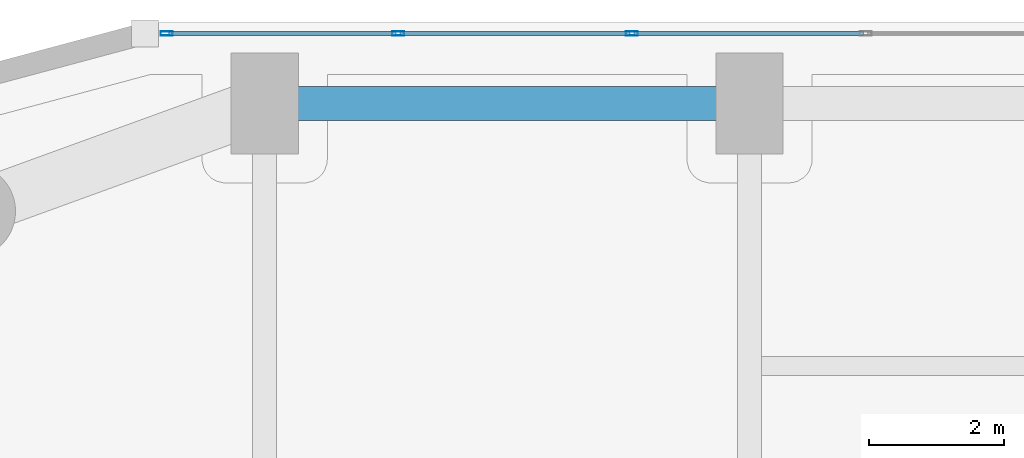
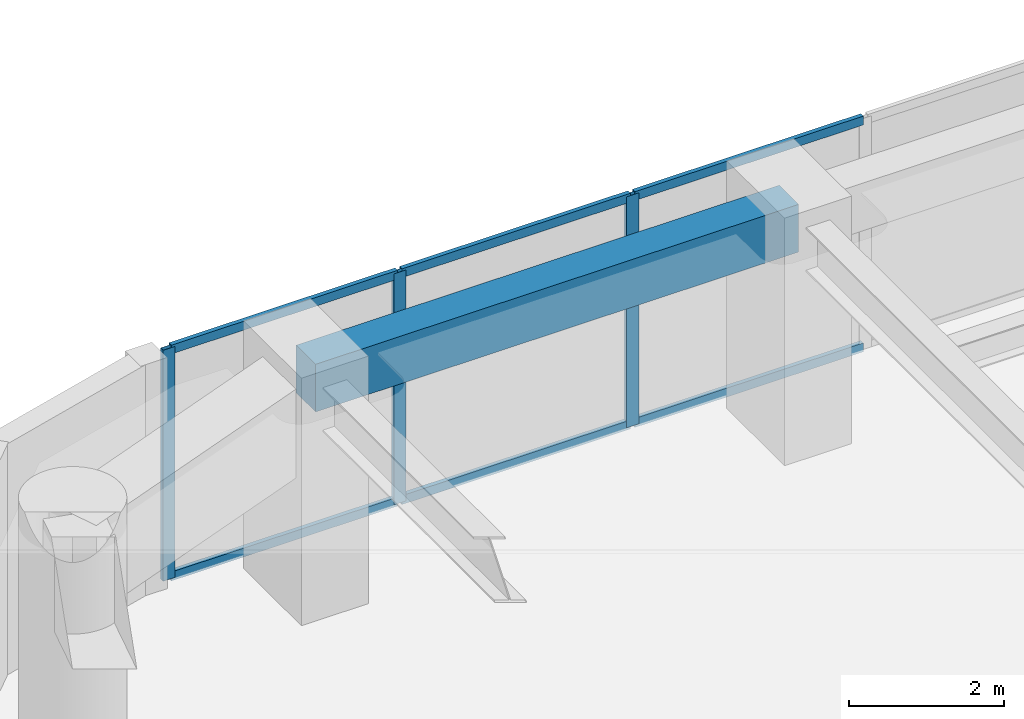
# One storey, part 16 of 28: 9 members, 1 beam, 1 element without a shape of its own.
"""IFC4 building model written with IfcOpenShell, lengths in metres."""

from ifc_helpers import new_model, si_unit, direction, frame, origin, origin_2d, place, context, subcontext, project, spatial, rectangle, hollow_rectangle, extrude, material, layer, layer_set, material_profile, profile_set, type_object, element, aggregate, save


model = new_model("IFC4")

# Units and contexts
model_context = context("Model", 3, precision=1e-05, world=origin(), true_north=direction((0.0, 1.0)))
body_context = subcontext(model_context, "Body", "Model", "MODEL_VIEW")
ifc_project = project(units=[si_unit("LENGTHUNIT", "METRE"), si_unit("AREAUNIT", "SQUARE_METRE"), si_unit("VOLUMEUNIT", "CUBIC_METRE"), si_unit("PLANEANGLEUNIT", "RADIAN"), si_unit("MASSUNIT", "GRAM", prefix="KILO")], contexts=[model_context])

# Site, building, storey
site_placement = place(None, origin())
site = spatial("IfcSite", under=ifc_project, at=site_placement, CompositionType="ELEMENT")
building_placement = place(site_placement, origin())
building = spatial("IfcBuilding", under=site, at=building_placement, Name="Kiyonajd Concourse Tower", CompositionType="ELEMENT")
storey_placement = place(building_placement, frame((0.0, 0.0, 33.300048828125)))
storey = spatial("IfcBuildingStorey", under=building, at=storey_placement, Name="L09", CompositionType="ELEMENT", Elevation=33.300048828125)

# Beam
ifc_material_1 = material(Name="Precast concrete C50/60", Category="concrete")
ifc_material_profile_1 = material_profile(ifc_material_1, rectangle(XDim=0.5, YDim=0.75, at=origin_2d()), Name="RCBM-500x750")
ifc_profile_set_1 = profile_set([ifc_material_profile_1], Name="Precast concrete C50/60")
beam_type = type_object("IfcBeamType", Name="BM-SPAN-RC", PredefinedType="SPANDREL", material=ifc_profile_set_1)
beam_placement = place(storey_placement, frame((32.39990234375, 61.199951171875, 3.264892578125), z_axis=(-1.0, 0.0, 0.0), x_axis=(0.0, -1.0, 0.0)))
element("IfcBeam", 1, at=beam_placement, inside=storey, type_object=beam_type, Name="L09 Perimeter Bundled Tube Spandrel", PredefinedType="SPANDREL", context=body_context, shape_type="SweptSolid", body=[
    extrude(rectangle(XDim=0.5, YDim=0.75, at=origin_2d()), origin(), (0.0, 0.0, 1.0), 7.199951171875),
])

# Curtain wall, members
ifc_material_2 = material(Name="Thermally Broken Anodised Aluminium", Category="aluminium")
ifc_layer = layer(ifc_material_2, 0.179931640625)
ifc_layer_set = layer_set([ifc_layer], Name="Thermally Broken Anodised Aluminium")
curtain_wall_type = type_object("IfcCurtainWallType", Name="CW-SYS-02", PredefinedType="NOTDEFINED", material=ifc_layer_set)
curtain_wall_placement = place(storey_placement, origin())
curtain_wall = element("IfcCurtainWall", 2, at=curtain_wall_placement, inside=storey, type_object=curtain_wall_type, Name="L09 Unitised Curtain Wall CW2", PredefinedType="NOTDEFINED")
ifc_material_profile_2 = material_profile(ifc_material_2, hollow_rectangle(XDim=0.06494140625, YDim=0.179931640625, WallThickness=0.00390625, at=origin_2d()), Name="MULL-65x180")
ifc_profile_set_2 = profile_set([ifc_material_profile_2], Name="Thermally Broken Anodised Aluminium")
member_type_1 = type_object("IfcMemberType", Name="MB-CW-MULL1", PredefinedType="MULLION", material=ifc_profile_set_2)
member_1_placement = place(storey_placement, frame((23.74365234375, 62.239990234375, 0.0), z_axis=(0.0, 0.0, 1.0), x_axis=(0.0, 1.0, 0.0)))
member_1 = element("IfcMember", 3, at=member_1_placement, type_object=member_type_1, Name="CW2 mullion 1", PredefinedType="MULLION", context=body_context, shape_type="SweptSolid", body=[
    extrude(hollow_rectangle(XDim=0.06494140625, YDim=0.179931640625, WallThickness=0.00390625, at=origin_2d()), origin(), (0.0, 0.0, 1.0), 3.639892578125),
])
member_2_placement = place(storey_placement, frame((27.181884765625, 62.239990234375, 0.0), z_axis=(0.0, 0.0, 1.0), x_axis=(0.0, 1.0, 0.0)))
member_2 = element("IfcMember", 4, at=member_2_placement, type_object=member_type_1, Name="CW2 mullion 2", PredefinedType="MULLION", context=body_context, shape_type="SweptSolid", body=[
    extrude(hollow_rectangle(XDim=0.06494140625, YDim=0.179931640625, WallThickness=0.00390625, at=origin_2d()), origin(), (0.0, 0.0, 1.0), 3.639892578125),
])
member_3_placement = place(storey_placement, frame((30.652587890625, 62.239990234375, 0.0), z_axis=(0.0, 0.0, 1.0), x_axis=(0.0, 1.0, 0.0)))
member_3 = element("IfcMember", 5, at=member_3_placement, type_object=member_type_1, Name="CW2 mullion 3", PredefinedType="MULLION", context=body_context, shape_type="SweptSolid", body=[
    extrude(hollow_rectangle(XDim=0.06494140625, YDim=0.179931640625, WallThickness=0.00390625, at=origin_2d()), origin(), (0.0, 0.0, 1.0), 3.639892578125),
])
ifc_material_profile_3 = material_profile(ifc_material_2, hollow_rectangle(XDim=0.06494140625, YDim=0.139892578125, WallThickness=0.00390625, at=origin_2d()), Name="TRAN-65x140")
ifc_profile_set_3 = profile_set([ifc_material_profile_3], Name="Thermally Broken Anodised Aluminium")
member_type_2 = type_object("IfcMemberType", Name="MB-CW-TRAN1", PredefinedType="USERDEFINED", material=ifc_profile_set_3)
member_4_placement = place(storey_placement, frame((23.776123046875, 62.239990234375, 0.032470703125), z_axis=(1.0, 0.0, 0.0), x_axis=(0.0, 1.0, 0.0)))
member_4 = element("IfcMember", 6, at=member_4_placement, type_object=member_type_2, Name="CW2 transom 1.1", ObjectType="TRANSOM", PredefinedType="USERDEFINED", context=body_context, shape_type="SweptSolid", body=[
    extrude(hollow_rectangle(XDim=0.06494140625, YDim=0.139892578125, WallThickness=0.00390625, at=origin_2d()), origin(), (0.0, 0.0, 1.0), 3.373291015625),
])
member_5_placement = place(storey_placement, frame((23.776123046875, 62.239990234375, 3.607421875), z_axis=(1.0, 0.0, 0.0), x_axis=(0.0, 1.0, 0.0)))
member_5 = element("IfcMember", 7, at=member_5_placement, type_object=member_type_2, Name="CW2 transom 1.2", ObjectType="TRANSOM", PredefinedType="USERDEFINED", context=body_context, shape_type="SweptSolid", body=[
    extrude(hollow_rectangle(XDim=0.06494140625, YDim=0.139892578125, WallThickness=0.00390625, at=origin_2d()), origin(), (0.0, 0.0, 1.0), 3.373291015625),
])
member_6_placement = place(storey_placement, frame((27.21435546875, 62.239990234375, 0.032470703125), z_axis=(1.0, 0.0, 0.0), x_axis=(0.0, 1.0, 0.0)))
member_6 = element("IfcMember", 8, at=member_6_placement, type_object=member_type_2, Name="CW2 transom 2.1", ObjectType="TRANSOM", PredefinedType="USERDEFINED", context=body_context, shape_type="SweptSolid", body=[
    extrude(hollow_rectangle(XDim=0.06494140625, YDim=0.139892578125, WallThickness=0.00390625, at=origin_2d()), origin(), (0.0, 0.0, 1.0), 3.40576171875),
])
member_7_placement = place(storey_placement, frame((27.21435546875, 62.239990234375, 3.607421875), z_axis=(1.0, 0.0, 0.0), x_axis=(0.0, 1.0, 0.0)))
member_7 = element("IfcMember", 9, at=member_7_placement, type_object=member_type_2, Name="CW2 transom 2.2", ObjectType="TRANSOM", PredefinedType="USERDEFINED", context=body_context, shape_type="SweptSolid", body=[
    extrude(hollow_rectangle(XDim=0.06494140625, YDim=0.139892578125, WallThickness=0.00390625, at=origin_2d()), origin(), (0.0, 0.0, 1.0), 3.40576171875),
])
member_8_placement = place(storey_placement, frame((30.68505859375, 62.239990234375, 0.032470703125), z_axis=(1.0, 0.0, 0.0), x_axis=(0.0, 1.0, 0.0)))
member_8 = element("IfcMember", 10, at=member_8_placement, type_object=member_type_2, Name="CW2 transom 3.1", ObjectType="TRANSOM", PredefinedType="USERDEFINED", context=body_context, shape_type="SweptSolid", body=[
    extrude(hollow_rectangle(XDim=0.06494140625, YDim=0.139892578125, WallThickness=0.00390625, at=origin_2d()), origin(), (0.0, 0.0, 1.0), 3.40576171875),
])
member_9_placement = place(storey_placement, frame((30.68505859375, 62.239990234375, 3.607421875), z_axis=(1.0, 0.0, 0.0), x_axis=(0.0, 1.0, 0.0)))
member_9 = element("IfcMember", 11, at=member_9_placement, type_object=member_type_2, Name="CW2 transom 3.2", ObjectType="TRANSOM", PredefinedType="USERDEFINED", context=body_context, shape_type="SweptSolid", body=[
    extrude(hollow_rectangle(XDim=0.06494140625, YDim=0.139892578125, WallThickness=0.00390625, at=origin_2d()), origin(), (0.0, 0.0, 1.0), 3.40576171875),
])
aggregate(curtain_wall, [member_1, member_2, member_3, member_4, member_5, member_6, member_7, member_8, member_9])

save(model, "model.ifc")
